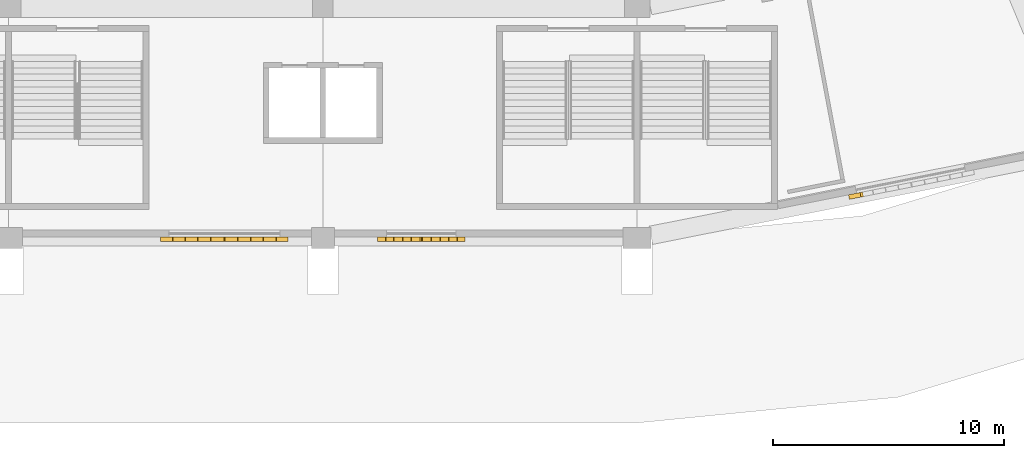
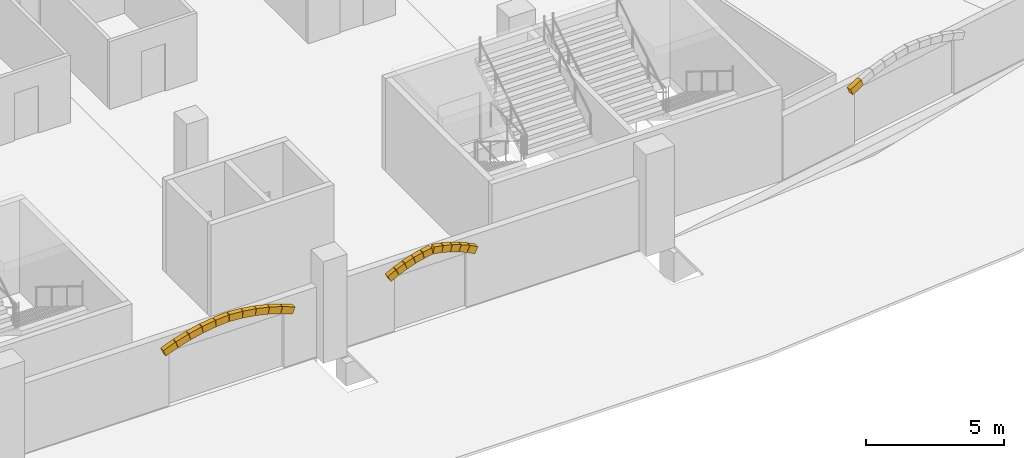
# One storey, part 169 of 175: 21 coverings.
"""IFC4 building model written with IfcOpenShell, lengths in metres."""

from ifc_helpers import new_model, si_unit, direction, frame, origin, origin_2d, place, context, subcontext, project, spatial, rectangle, extrude, material, material_profile, profile_set, type_object, element, save


model = new_model("IFC4")

# Units and contexts
model_context = context("Model", 3, precision=1e-05, world=origin(), true_north=direction((0.0, 1.0)))
body_context = subcontext(model_context, "Body", "Model", "MODEL_VIEW")
ifc_project = project(units=[si_unit("LENGTHUNIT", "METRE"), si_unit("AREAUNIT", "SQUARE_METRE"), si_unit("VOLUMEUNIT", "CUBIC_METRE"), si_unit("PLANEANGLEUNIT", "RADIAN"), si_unit("MASSUNIT", "GRAM", prefix="KILO")], contexts=[model_context])

# Site, building, storey
site_placement = place(None, origin())
site = spatial("IfcSite", under=ifc_project, at=site_placement, CompositionType="ELEMENT")
building_placement = place(site_placement, origin())
building = spatial("IfcBuilding", under=site, at=building_placement, Name="Ogive Plaza Stadium", CompositionType="ELEMENT")
storey_placement = place(building_placement, origin())
storey = spatial("IfcBuildingStorey", under=building, at=storey_placement, Name="L00", CompositionType="ELEMENT", Elevation=0.0)

# Coverings
ifc_material = material(Name="Cast stone (reconstituted limestone)", Category="masonry")
ifc_material_profile = material_profile(ifc_material, rectangle(XDim=0.199951171875, YDim=0.300048828125, at=origin_2d()), Name="Cast stone 200x300")
ifc_profile_set = profile_set([ifc_material_profile], Name="Cast stone (reconstituted limestone)")
covering_type = type_object("IfcCoveringType", Name="Portal arch rib 200x300", PredefinedType="MOLDING", material=ifc_profile_set)
covering_1_placement = place(storey_placement, frame((43.7216796875, -100.6171875, 2.7373046875), z_axis=(-0.914501215455, -0.181828038442, -0.361422317197), x_axis=(0.195010300946, -0.98080119419, 0.0)))
element("IfcCovering", 1, at=covering_1_placement, inside=storey, type_object=covering_type, Name="PORTAL ARCH B11 10", PredefinedType="MOLDING", context=body_context, shape_type="SweptSolid", body=[
    extrude(rectangle(XDim=0.199951171875, YDim=0.300048828125, at=origin_2d()), origin(), (0.0, 0.0, 1.0), 0.54638671875),
])
covering_2_placement = place(storey_placement, frame((26.482177734375, -102.550048828125, 2.532958984375), z_axis=(-0.886011177193, 0.0, 0.463663880293), x_axis=(0.0, -1.0, 0.0)))
element("IfcCovering", 2, at=covering_2_placement, inside=storey, type_object=covering_type, Name="PORTAL ARCH B12 1", PredefinedType="MOLDING", context=body_context, shape_type="SweptSolid", body=[
    extrude(rectangle(XDim=0.199951171875, YDim=0.300048828125, at=origin_2d()), origin(), (0.0, 0.0, 1.0), 0.372314453125),
])
for number, where, z_axis, x_axis, name in (
    (3, (26.14208984375, -102.550048828125, 2.71044921875), (-0.91866918758, 0.0, 0.395027750659), (0.0, -1.0, 0.0), "PORTAL ARCH B12 2"),
    (4, (25.78955078125, -102.550048828125, 2.861572265625), (-0.946026425691, 0.0, 0.324089496735), (0.0, -1.0, 0.0), "PORTAL ARCH B12 3"),
):
    element("IfcCovering", number, at=place(storey_placement, frame(where, z_axis=z_axis, x_axis=x_axis)), inside=storey, type_object=covering_type, Name=name, PredefinedType="MOLDING", context=body_context, shape_type="SweptSolid", body=[
        extrude(rectangle(XDim=0.199951171875, YDim=0.300048828125, at=origin_2d()), origin(), (0.0, 0.0, 1.0), 0.3720703125),
    ])
covering_3_placement = place(storey_placement, frame((25.4267578125, -102.550048828125, 2.985595703125), z_axis=(-0.967943772802, 0.0, 0.251166981696), x_axis=(0.0, -1.0, 0.0)))
element("IfcCovering", 5, at=covering_3_placement, inside=storey, type_object=covering_type, Name="PORTAL ARCH B12 4", PredefinedType="MOLDING", context=body_context, shape_type="SweptSolid", body=[
    extrude(rectangle(XDim=0.199951171875, YDim=0.300048828125, at=origin_2d()), origin(), (0.0, 0.0, 1.0), 0.372314453125),
])
covering_4_placement = place(storey_placement, frame((25.055419921875, -102.550048828125, 3.08154296875), z_axis=(-0.984068736563, 0.0, 0.177788418406), x_axis=(0.0, -1.0, 0.0)))
element("IfcCovering", 6, at=covering_4_placement, inside=storey, type_object=covering_type, Name="PORTAL ARCH B12 5", PredefinedType="MOLDING", context=body_context, shape_type="SweptSolid", body=[
    extrude(rectangle(XDim=0.199951171875, YDim=0.300048828125, at=origin_2d()), origin(), (0.0, 0.0, 1.0), 0.3720703125),
])
covering_5_placement = place(storey_placement, frame((24.635986328125, -102.550048828125, 3.147705078125), z_axis=(-0.984089453269, 0.0, -0.177673712083), x_axis=(0.0, -1.0, 0.0)))
element("IfcCovering", 7, at=covering_5_placement, inside=storey, type_object=covering_type, Name="PORTAL ARCH B12 6", PredefinedType="MOLDING", context=body_context, shape_type="SweptSolid", body=[
    extrude(rectangle(XDim=0.199951171875, YDim=0.300048828125, at=origin_2d()), origin(), (0.0, 0.0, 1.0), 0.372314453125),
])
for number, where, z_axis, x_axis, name in (
    (8, (24.258544921875, -102.550048828125, 3.0791015625), (-0.96790236306, 0.0, -0.2513265119), (0.0, -1.0, 0.0), "PORTAL ARCH B12 7"),
    (9, (23.887451171875, -102.550048828125, 2.982177734375), (-0.946026425691, 0.0, -0.324089496735), (0.0, -1.0, 0.0), "PORTAL ARCH B12 8"),
):
    element("IfcCovering", number, at=place(storey_placement, frame(where, z_axis=z_axis, x_axis=x_axis)), inside=storey, type_object=covering_type, Name=name, PredefinedType="MOLDING", context=body_context, shape_type="SweptSolid", body=[
        extrude(rectangle(XDim=0.199951171875, YDim=0.300048828125, at=origin_2d()), origin(), (0.0, 0.0, 1.0), 0.3720703125),
    ])
covering_6_placement = place(storey_placement, frame((23.52490234375, -102.550048828125, 2.857421875), z_axis=(-0.918771491846, 0.0, -0.394789748816), x_axis=(0.0, -1.0, 0.0)))
element("IfcCovering", 10, at=covering_6_placement, inside=storey, type_object=covering_type, Name="PORTAL ARCH B12 9", PredefinedType="MOLDING", context=body_context, shape_type="SweptSolid", body=[
    extrude(rectangle(XDim=0.199951171875, YDim=0.300048828125, at=origin_2d()), origin(), (0.0, 0.0, 1.0), 0.372314453125),
])
covering_7_placement = place(storey_placement, frame((23.172607421875, -102.550048828125, 2.70556640625), z_axis=(-0.885870063545, 0.0, -0.463933433279), x_axis=(0.0, -1.0, 0.0)))
element("IfcCovering", 11, at=covering_7_placement, inside=storey, type_object=covering_type, Name="PORTAL ARCH B12 10", PredefinedType="MOLDING", context=body_context, shape_type="SweptSolid", body=[
    extrude(rectangle(XDim=0.199951171875, YDim=0.300048828125, at=origin_2d()), origin(), (0.0, 0.0, 1.0), 0.3720703125),
])
for number, where, z_axis, x_axis, name in (
    (12, (18.841796875, -102.550048828125, 2.539794921875), (-0.932398184034, 0.0, 0.361432741199), (0.0, -1.0, 0.0), "PORTAL ARCH B13 1"),
    (13, (18.32177734375, -102.550048828125, 2.740966796875), (-0.956337693461, 0.0, 0.29226394931), (0.0, -1.0, 0.0), "PORTAL ARCH B13 2"),
):
    element("IfcCovering", number, at=place(storey_placement, frame(where, z_axis=z_axis, x_axis=x_axis)), inside=storey, type_object=covering_type, Name=name, PredefinedType="MOLDING", context=body_context, shape_type="SweptSolid", body=[
        extrude(rectangle(XDim=0.199951171875, YDim=0.300048828125, at=origin_2d()), origin(), (0.0, 0.0, 1.0), 0.54638671875),
    ])
covering_8_placement = place(storey_placement, frame((17.78857421875, -102.550048828125, 2.9033203125), z_axis=(-0.975220586495, 0.0, 0.221234734333), x_axis=(0.0, -1.0, 0.0)))
element("IfcCovering", 14, at=covering_8_placement, inside=storey, type_object=covering_type, Name="PORTAL ARCH B13 3", PredefinedType="MOLDING", context=body_context, shape_type="SweptSolid", body=[
    extrude(rectangle(XDim=0.199951171875, YDim=0.300048828125, at=origin_2d()), origin(), (0.0, 0.0, 1.0), 0.546142578125),
])
for number, where, z_axis, x_axis, name in (
    (15, (17.244873046875, -102.550048828125, 3.026123046875), (-0.988933074819, 0.0, 0.148362304944), (0.0, -1.0, 0.0), "PORTAL ARCH B13 4"),
    (16, (16.693603515625, -102.550048828125, 3.1083984375), (-0.997145746443, 0.0, 0.075500730801), (0.0, -1.0, 0.0), "PORTAL ARCH B13 5"),
    (17, (16.126220703125, -102.550048828125, 3.149658203125), (-0.997145746443, 0.0, -0.075500730801), (0.0, -1.0, 0.0), "PORTAL ARCH B13 6"),
    (18, (15.5703125, -102.550048828125, 3.107177734375), (-0.988933074819, 0.0, -0.148362304944), (0.0, -1.0, 0.0), "PORTAL ARCH B13 7"),
    (19, (15.019287109375, -102.550048828125, 3.024169921875), (-0.975242447538, 0.0, -0.221138347014), (0.0, -1.0, 0.0), "PORTAL ARCH B13 8"),
    (20, (14.4755859375, -102.550048828125, 2.900634765625), (-0.956337693461, 0.0, -0.29226394931), (0.0, -1.0, 0.0), "PORTAL ARCH B13 9"),
):
    element("IfcCovering", number, at=place(storey_placement, frame(where, z_axis=z_axis, x_axis=x_axis)), inside=storey, type_object=covering_type, Name=name, PredefinedType="MOLDING", context=body_context, shape_type="SweptSolid", body=[
        extrude(rectangle(XDim=0.199951171875, YDim=0.300048828125, at=origin_2d()), origin(), (0.0, 0.0, 1.0), 0.54638671875),
    ])
covering_9_placement = place(storey_placement, frame((13.942626953125, -102.550048828125, 2.7373046875), z_axis=(-0.932339785038, 0.0, -0.361583358627), x_axis=(0.0, -1.0, 0.0)))
element("IfcCovering", 21, at=covering_9_placement, inside=storey, type_object=covering_type, Name="PORTAL ARCH B13 10", PredefinedType="MOLDING", context=body_context, shape_type="SweptSolid", body=[
    extrude(rectangle(XDim=0.199951171875, YDim=0.300048828125, at=origin_2d()), origin(), (0.0, 0.0, 1.0), 0.546142578125),
])

save(model, "model.ifc")
